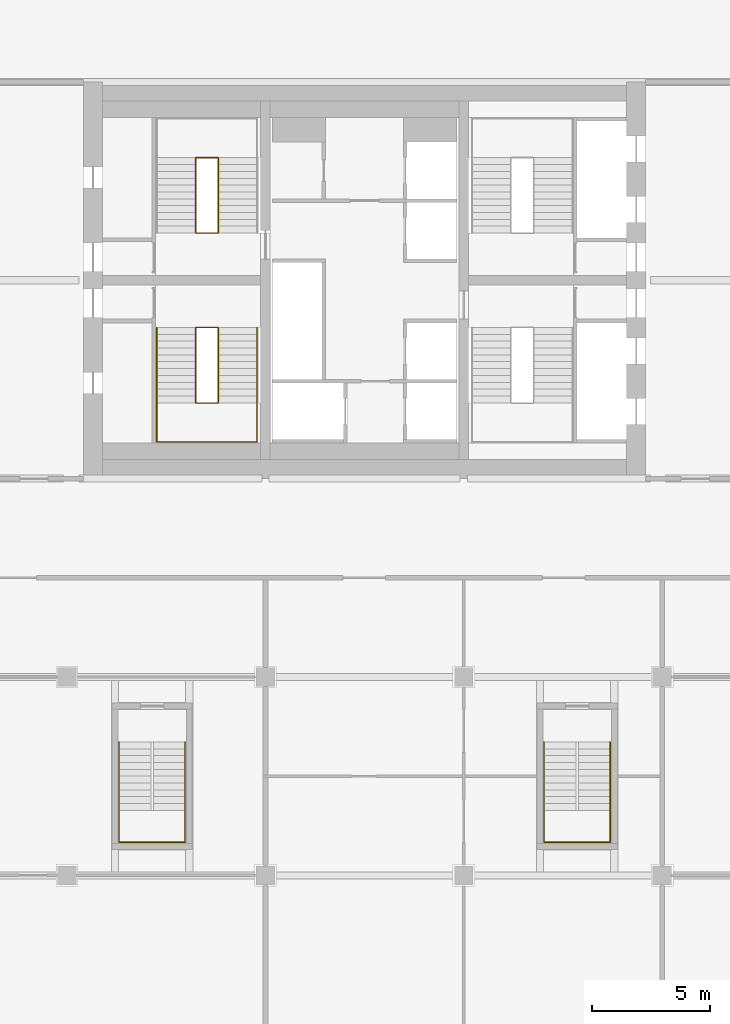
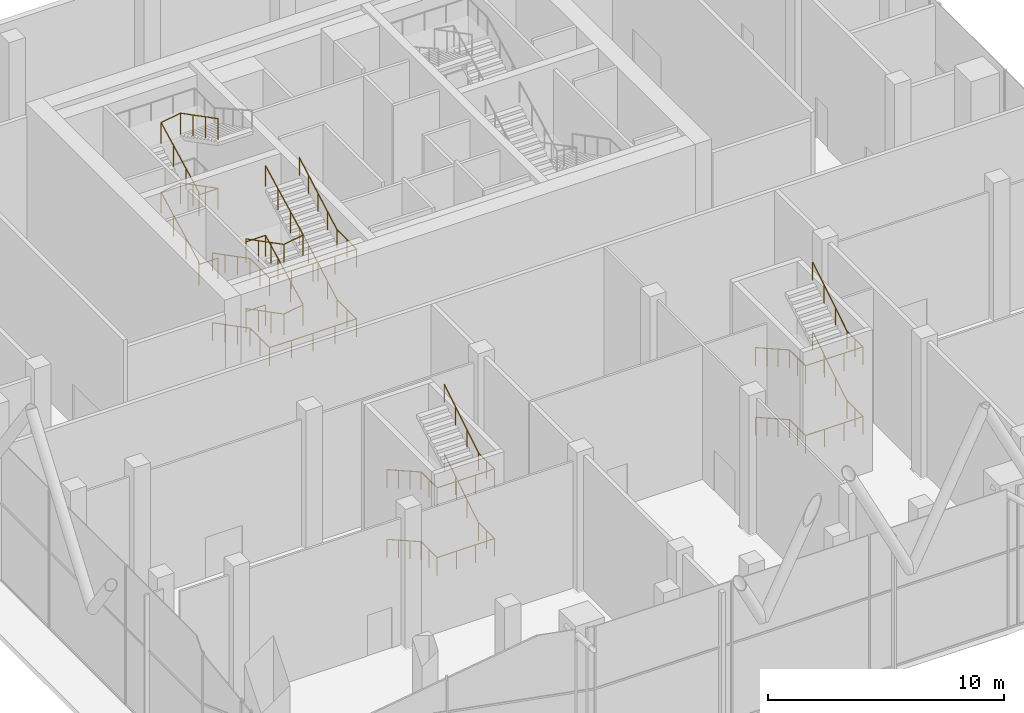
# One storey, part 24 of 25: 10 railings.
"""IFC4 building model written with IfcOpenShell, lengths in metres."""

from ifc_helpers import new_model, si_unit, direction, frame, origin, origin_2d, place, context, subcontext, project, spatial, circle, extrude, material, type_object, element, save


model = new_model("IFC4")

# Units and contexts
model_context = context("Model", 3, precision=1e-05, world=origin(), true_north=direction((0.0, 1.0)))
body_context = subcontext(model_context, "Body", "Model", "MODEL_VIEW")
ifc_project = project(units=[si_unit("LENGTHUNIT", "METRE"), si_unit("AREAUNIT", "SQUARE_METRE"), si_unit("VOLUMEUNIT", "CUBIC_METRE"), si_unit("PLANEANGLEUNIT", "RADIAN"), si_unit("MASSUNIT", "GRAM", prefix="KILO")], contexts=[model_context])

# Site, building, storey
site_placement = place(None, origin())
site = spatial("IfcSite", under=ifc_project, at=site_placement, CompositionType="ELEMENT")
building_placement = place(site_placement, origin())
building = spatial("IfcBuilding", under=site, at=building_placement, Name="Marenta Gate Hotel Tower", CompositionType="ELEMENT")
storey_placement = place(building_placement, frame((0.0, 0.0, 180.5)))
storey = spatial("IfcBuildingStorey", under=building, at=storey_placement, Name="L41", CompositionType="ELEMENT", Elevation=180.5)

# Railings
ifc_material_1 = material(Name="Stainless steel", Category="steel")
railing_type_1 = type_object("IfcRailingType", Name="Core stair handrail 950", PredefinedType="HANDRAIL", material=ifc_material_1)
railing_1_placement = place(storey_placement, frame((-8.800048828125, 6.39990234375, 0.14990234375)))
element("IfcRailing", 1, at=railing_1_placement, inside=storey, type_object=railing_type_1, Name="HR-950 L41-KR-ST1-1", PredefinedType="HANDRAIL", context=body_context, shape_type="SweptSolid", body=[
    extrude(circle(Radius=0.02392578125, at=origin_2d()), frame((0.0, 0.0, 0.92578125), z_axis=(0.0, -0.888197555067, 0.459461753765), x_axis=(1.0, 0.0, 0.0)), (0.0, 0.0, 1.0), 3.591552734375),
    extrude(circle(Radius=0.02392578125, at=origin_2d()), frame((0.0, -3.18994140625, 2.576171875), z_axis=(0.0, -1.0, 0.0), x_axis=(1.0, 0.0, 0.0)), (0.0, 0.0, 1.0), 1.659912109375),
    extrude(circle(Radius=0.02392578125, at=origin_2d()), frame((0.0, -4.849853515625, 2.576171875), z_axis=(1.0, 0.0, 0.0), x_axis=(0.0, 1.0, 0.0)), (0.0, 0.0, 1.0), 4.25),
    extrude(circle(Radius=0.02392578125, at=origin_2d()), frame((4.25, -4.849853515625, 2.576171875), z_axis=(0.0, 1.0, 0.0), x_axis=(-1.0, 0.0, 0.0)), (0.0, 0.0, 1.0), 1.659912109375),
    extrude(circle(Radius=0.02392578125, at=origin_2d()), frame((4.25, -3.18994140625, 2.576171875), z_axis=(0.0, 0.87090897868, 0.491444351738), x_axis=(-1.0, 0.0, 0.0)), (0.0, 0.0, 1.0), 3.662841796875),
    extrude(circle(Radius=0.02099609375, at=origin_2d()), origin(), (0.0, 0.0, 1.0), 0.90185546875),
    extrude(circle(Radius=0.02099609375, at=origin_2d()), frame((0.0, -1.063232421875, 0.550048828125)), (0.0, 0.0, 1.0), 0.90185546875),
    extrude(circle(Radius=0.02099609375, at=origin_2d()), frame((0.0, -2.126708984375, 1.10009765625)), (0.0, 0.0, 1.0), 0.90185546875),
    extrude(circle(Radius=0.02099609375, at=origin_2d()), frame((0.0, -3.18994140625, 1.650146484375)), (0.0, 0.0, 1.0), 0.90185546875),
    extrude(circle(Radius=0.02099609375, at=origin_2d()), frame((0.0, -4.02001953125, 1.650146484375)), (0.0, 0.0, 1.0), 0.90185546875),
    extrude(circle(Radius=0.02099609375, at=origin_2d()), frame((0.0, -4.849853515625, 1.650146484375)), (0.0, 0.0, 1.0), 0.90185546875),
    extrude(circle(Radius=0.02099609375, at=origin_2d()), frame((1.0625, -4.849853515625, 1.650146484375)), (0.0, 0.0, 1.0), 0.90185546875),
    extrude(circle(Radius=0.02099609375, at=origin_2d()), frame((2.125, -4.849853515625, 1.650146484375)), (0.0, 0.0, 1.0), 0.90185546875),
    extrude(circle(Radius=0.02099609375, at=origin_2d()), frame((3.1875, -4.849853515625, 1.650146484375)), (0.0, 0.0, 1.0), 0.90185546875),
    extrude(circle(Radius=0.02099609375, at=origin_2d()), frame((4.25, -4.849853515625, 1.650146484375)), (0.0, 0.0, 1.0), 0.90185546875),
    extrude(circle(Radius=0.02099609375, at=origin_2d()), frame((4.25, -4.02001953125, 1.650146484375)), (0.0, 0.0, 1.0), 0.90185546875),
    extrude(circle(Radius=0.02099609375, at=origin_2d()), frame((4.25, -3.18994140625, 1.650146484375)), (0.0, 0.0, 1.0), 0.90185546875),
    extrude(circle(Radius=0.02099609375, at=origin_2d()), frame((4.25, -2.392578125, 2.10009765625)), (0.0, 0.0, 1.0), 0.90185546875),
    extrude(circle(Radius=0.02099609375, at=origin_2d()), frame((4.25, -1.594970703125, 2.55029296875)), (0.0, 0.0, 1.0), 0.90185546875),
    extrude(circle(Radius=0.02099609375, at=origin_2d()), frame((4.25, -0.79736328125, 3.000244140625)), (0.0, 0.0, 1.0), 0.90185546875),
    extrude(circle(Radius=0.02099609375, at=origin_2d()), frame((4.25, 0.0, 3.4501953125)), (0.0, 0.0, 1.0), 0.90185546875),
])
railing_2_placement = place(storey_placement, frame((-8.800048828125, 6.39990234375, 3.75)))
element("IfcRailing", 2, at=railing_2_placement, inside=storey, type_object=railing_type_1, Name="HR-950 L41-KR-ST1-3", PredefinedType="HANDRAIL", context=body_context, shape_type="SweptSolid", body=[
    extrude(circle(Radius=0.02392578125, at=origin_2d()), frame((0.0, 0.0, 0.92578125), z_axis=(0.0, -0.888225295554, 0.459408123936), x_axis=(1.0, 0.0, 0.0)), (0.0, 0.0, 1.0), 3.59130859375),
    extrude(circle(Radius=0.02392578125, at=origin_2d()), frame((0.0, -3.18994140625, 2.57568359375), z_axis=(0.0, -1.0, 0.0), x_axis=(1.0, 0.0, 0.0)), (0.0, 0.0, 1.0), 1.659912109375),
    extrude(circle(Radius=0.02392578125, at=origin_2d()), frame((0.0, -4.849853515625, 2.57568359375), z_axis=(1.0, 0.0, 0.0), x_axis=(0.0, 1.0, 0.0)), (0.0, 0.0, 1.0), 4.25),
    extrude(circle(Radius=0.02392578125, at=origin_2d()), frame((4.25, -4.849853515625, 2.57568359375), z_axis=(0.0, 1.0, 0.0), x_axis=(-1.0, 0.0, 0.0)), (0.0, 0.0, 1.0), 1.659912109375),
    extrude(circle(Radius=0.02392578125, at=origin_2d()), frame((4.25, -3.18994140625, 2.57568359375), z_axis=(0.0, 0.87090897868, 0.491444351738), x_axis=(-1.0, 0.0, 0.0)), (0.0, 0.0, 1.0), 3.662841796875),
    extrude(circle(Radius=0.02099609375, at=origin_2d()), origin(), (0.0, 0.0, 1.0), 0.90185546875),
    extrude(circle(Radius=0.02099609375, at=origin_2d()), frame((0.0, -1.063232421875, 0.550048828125)), (0.0, 0.0, 1.0), 0.90185546875),
    extrude(circle(Radius=0.02099609375, at=origin_2d()), frame((0.0, -2.126708984375, 1.099853515625)), (0.0, 0.0, 1.0), 0.90185546875),
    extrude(circle(Radius=0.02099609375, at=origin_2d()), frame((0.0, -3.18994140625, 1.64990234375)), (0.0, 0.0, 1.0), 0.90185546875),
    extrude(circle(Radius=0.02099609375, at=origin_2d()), frame((0.0, -4.02001953125, 1.64990234375)), (0.0, 0.0, 1.0), 0.90185546875),
    extrude(circle(Radius=0.02099609375, at=origin_2d()), frame((0.0, -4.849853515625, 1.64990234375)), (0.0, 0.0, 1.0), 0.90185546875),
    extrude(circle(Radius=0.02099609375, at=origin_2d()), frame((1.0625, -4.849853515625, 1.64990234375)), (0.0, 0.0, 1.0), 0.90185546875),
    extrude(circle(Radius=0.02099609375, at=origin_2d()), frame((2.125, -4.849853515625, 1.64990234375)), (0.0, 0.0, 1.0), 0.90185546875),
    extrude(circle(Radius=0.02099609375, at=origin_2d()), frame((3.1875, -4.849853515625, 1.64990234375)), (0.0, 0.0, 1.0), 0.90185546875),
    extrude(circle(Radius=0.02099609375, at=origin_2d()), frame((4.25, -4.849853515625, 1.64990234375)), (0.0, 0.0, 1.0), 0.90185546875),
    extrude(circle(Radius=0.02099609375, at=origin_2d()), frame((4.25, -4.02001953125, 1.64990234375)), (0.0, 0.0, 1.0), 0.90185546875),
    extrude(circle(Radius=0.02099609375, at=origin_2d()), frame((4.25, -3.18994140625, 1.64990234375)), (0.0, 0.0, 1.0), 0.90185546875),
    extrude(circle(Radius=0.02099609375, at=origin_2d()), frame((4.25, -2.392578125, 2.099853515625)), (0.0, 0.0, 1.0), 0.90185546875),
    extrude(circle(Radius=0.02099609375, at=origin_2d()), frame((4.25, -1.594970703125, 2.5498046875)), (0.0, 0.0, 1.0), 0.90185546875),
    extrude(circle(Radius=0.02099609375, at=origin_2d()), frame((4.25, -0.79736328125, 3.0)), (0.0, 0.0, 1.0), 0.90185546875),
    extrude(circle(Radius=0.02099609375, at=origin_2d()), frame((4.25, 0.0, 3.449951171875)), (0.0, 0.0, 1.0), 0.90185546875),
])
railing_3_placement = place(storey_placement, frame((-10.39990234375, -11.14990234375, 0.16357421875)))
element("IfcRailing", 3, at=railing_3_placement, inside=storey, type_object=railing_type_1, Name="HR-950 L41-RS-Z3-1-KR-1", PredefinedType="HANDRAIL", context=body_context, shape_type="SweptSolid", body=[
    extrude(circle(Radius=0.02392578125, at=origin_2d()), frame((0.0, 0.0, 0.92578125), z_axis=(0.0, -0.870914908162, 0.491433843708), x_axis=(1.0, 0.0, 0.0)), (0.0, 0.0, 1.0), 3.330078125),
    extrude(circle(Radius=0.02392578125, at=origin_2d()), frame((0.0, -2.900146484375, 2.5625), z_axis=(0.0, -1.0, 0.0), x_axis=(1.0, 0.0, 0.0)), (0.0, 0.0, 1.0), 1.349853515625),
    extrude(circle(Radius=0.02392578125, at=origin_2d()), frame((0.0, -4.25, 2.5625), z_axis=(1.0, 0.0, 0.0), x_axis=(0.0, 1.0, 0.0)), (0.0, 0.0, 1.0), 2.7998046875),
    extrude(circle(Radius=0.02392578125, at=origin_2d()), frame((2.7998046875, -4.25, 2.5625), z_axis=(0.0, 1.0, 0.0), x_axis=(-1.0, 0.0, 0.0)), (0.0, 0.0, 1.0), 1.349853515625),
    extrude(circle(Radius=0.02392578125, at=origin_2d()), frame((2.7998046875, -2.900146484375, 2.5625), z_axis=(0.0, 0.849645691689, 0.527353959494), x_axis=(-1.0, 0.0, 0.0)), (0.0, 0.0, 1.0), 3.413330078125),
    extrude(circle(Radius=0.02099609375, at=origin_2d()), origin(), (0.0, 0.0, 1.0), 0.90185546875),
    extrude(circle(Radius=0.02099609375, at=origin_2d()), frame((0.0, -0.966796875, 0.54541015625)), (0.0, 0.0, 1.0), 0.90185546875),
    extrude(circle(Radius=0.02099609375, at=origin_2d()), frame((0.0, -1.933349609375, 1.091064453125)), (0.0, 0.0, 1.0), 0.90185546875),
    extrude(circle(Radius=0.02099609375, at=origin_2d()), frame((0.0, -2.900146484375, 1.636474609375)), (0.0, 0.0, 1.0), 0.90185546875),
    extrude(circle(Radius=0.02099609375, at=origin_2d()), frame((0.0, -3.5751953125, 1.636474609375)), (0.0, 0.0, 1.0), 0.90185546875),
    extrude(circle(Radius=0.02099609375, at=origin_2d()), frame((0.0, -4.25, 1.636474609375)), (0.0, 0.0, 1.0), 0.90185546875),
    extrude(circle(Radius=0.02099609375, at=origin_2d()), frame((0.933349609375, -4.25, 1.636474609375)), (0.0, 0.0, 1.0), 0.90185546875),
    extrude(circle(Radius=0.02099609375, at=origin_2d()), frame((1.866455078125, -4.25, 1.636474609375)), (0.0, 0.0, 1.0), 0.90185546875),
    extrude(circle(Radius=0.02099609375, at=origin_2d()), frame((2.7998046875, -4.25, 1.636474609375)), (0.0, 0.0, 1.0), 0.90185546875),
    extrude(circle(Radius=0.02099609375, at=origin_2d()), frame((2.7998046875, -3.5751953125, 1.636474609375)), (0.0, 0.0, 1.0), 0.90185546875),
    extrude(circle(Radius=0.02099609375, at=origin_2d()), frame((2.7998046875, -2.900146484375, 1.636474609375)), (0.0, 0.0, 1.0), 0.90185546875),
    extrude(circle(Radius=0.02099609375, at=origin_2d()), frame((2.7998046875, -1.933349609375, 2.236572265625)), (0.0, 0.0, 1.0), 0.90185546875),
    extrude(circle(Radius=0.02099609375, at=origin_2d()), frame((2.7998046875, -0.966796875, 2.83642578125)), (0.0, 0.0, 1.0), 0.90185546875),
    extrude(circle(Radius=0.02099609375, at=origin_2d()), frame((2.7998046875, 0.0, 3.4365234375)), (0.0, 0.0, 1.0), 0.90185546875),
])
railing_4_placement = place(storey_placement, frame((-10.39990234375, -11.14990234375, 3.763671875)))
element("IfcRailing", 4, at=railing_4_placement, inside=storey, type_object=railing_type_1, Name="HR-950 L41-RS-Z3-1-KR-2", PredefinedType="HANDRAIL", context=body_context, shape_type="SweptSolid", body=[
    extrude(circle(Radius=0.02392578125, at=origin_2d()), frame((0.0, 0.0, 0.92578125), z_axis=(0.0, -0.870946286338, 0.49137823142), x_axis=(1.0, 0.0, 0.0)), (0.0, 0.0, 1.0), 3.329833984375),
    extrude(circle(Radius=0.02392578125, at=origin_2d()), frame((0.0, -2.900146484375, 2.56201171875), z_axis=(0.0, -1.0, 0.0), x_axis=(1.0, 0.0, 0.0)), (0.0, 0.0, 1.0), 1.349853515625),
    extrude(circle(Radius=0.02392578125, at=origin_2d()), frame((0.0, -4.25, 2.56201171875), z_axis=(1.0, 0.0, 0.0), x_axis=(0.0, 1.0, 0.0)), (0.0, 0.0, 1.0), 2.7998046875),
    extrude(circle(Radius=0.02392578125, at=origin_2d()), frame((2.7998046875, -4.25, 2.56201171875), z_axis=(0.0, 1.0, 0.0), x_axis=(-1.0, 0.0, 0.0)), (0.0, 0.0, 1.0), 1.349853515625),
    extrude(circle(Radius=0.02392578125, at=origin_2d()), frame((2.7998046875, -2.900146484375, 2.56201171875), z_axis=(0.0, 0.849645691689, 0.527353959494), x_axis=(-1.0, 0.0, 0.0)), (0.0, 0.0, 1.0), 3.413330078125),
    extrude(circle(Radius=0.02099609375, at=origin_2d()), origin(), (0.0, 0.0, 1.0), 0.90185546875),
    extrude(circle(Radius=0.02099609375, at=origin_2d()), frame((0.0, -0.966796875, 0.54541015625)), (0.0, 0.0, 1.0), 0.90185546875),
    extrude(circle(Radius=0.02099609375, at=origin_2d()), frame((0.0, -1.933349609375, 1.0908203125)), (0.0, 0.0, 1.0), 0.90185546875),
    extrude(circle(Radius=0.02099609375, at=origin_2d()), frame((0.0, -2.900146484375, 1.63623046875)), (0.0, 0.0, 1.0), 0.90185546875),
    extrude(circle(Radius=0.02099609375, at=origin_2d()), frame((0.0, -3.5751953125, 1.63623046875)), (0.0, 0.0, 1.0), 0.90185546875),
    extrude(circle(Radius=0.02099609375, at=origin_2d()), frame((0.0, -4.25, 1.63623046875)), (0.0, 0.0, 1.0), 0.90185546875),
    extrude(circle(Radius=0.02099609375, at=origin_2d()), frame((0.933349609375, -4.25, 1.63623046875)), (0.0, 0.0, 1.0), 0.90185546875),
    extrude(circle(Radius=0.02099609375, at=origin_2d()), frame((1.866455078125, -4.25, 1.63623046875)), (0.0, 0.0, 1.0), 0.90185546875),
    extrude(circle(Radius=0.02099609375, at=origin_2d()), frame((2.7998046875, -4.25, 1.63623046875)), (0.0, 0.0, 1.0), 0.90185546875),
    extrude(circle(Radius=0.02099609375, at=origin_2d()), frame((2.7998046875, -3.5751953125, 1.63623046875)), (0.0, 0.0, 1.0), 0.90185546875),
    extrude(circle(Radius=0.02099609375, at=origin_2d()), frame((2.7998046875, -2.900146484375, 1.63623046875)), (0.0, 0.0, 1.0), 0.90185546875),
    extrude(circle(Radius=0.02099609375, at=origin_2d()), frame((2.7998046875, -1.933349609375, 2.236328125)), (0.0, 0.0, 1.0), 0.90185546875),
    extrude(circle(Radius=0.02099609375, at=origin_2d()), frame((2.7998046875, -0.966796875, 2.836181640625)), (0.0, 0.0, 1.0), 0.90185546875),
    extrude(circle(Radius=0.02099609375, at=origin_2d()), frame((2.7998046875, 0.0, 3.436279296875)), (0.0, 0.0, 1.0), 0.90185546875),
])
railing_5_placement = place(storey_placement, frame((7.60009765625, -11.14990234375, 0.16357421875)))
element("IfcRailing", 5, at=railing_5_placement, inside=storey, type_object=railing_type_1, Name="HR-950 L41-RS-Z3-2-KR-1", PredefinedType="HANDRAIL", context=body_context, shape_type="SweptSolid", body=[
    extrude(circle(Radius=0.02392578125, at=origin_2d()), frame((0.0, 0.0, 0.92578125), z_axis=(0.0, -0.870914908162, 0.491433843708), x_axis=(1.0, 0.0, 0.0)), (0.0, 0.0, 1.0), 3.330078125),
    extrude(circle(Radius=0.02392578125, at=origin_2d()), frame((0.0, -2.900146484375, 2.5625), z_axis=(0.0, -1.0, 0.0), x_axis=(1.0, 0.0, 0.0)), (0.0, 0.0, 1.0), 1.349853515625),
    extrude(circle(Radius=0.02392578125, at=origin_2d()), frame((0.0, -4.25, 2.5625), z_axis=(1.0, 0.0, 0.0), x_axis=(0.0, 1.0, 0.0)), (0.0, 0.0, 1.0), 2.7998046875),
    extrude(circle(Radius=0.02392578125, at=origin_2d()), frame((2.7998046875, -4.25, 2.5625), z_axis=(0.0, 1.0, 0.0), x_axis=(-1.0, 0.0, 0.0)), (0.0, 0.0, 1.0), 1.349853515625),
    extrude(circle(Radius=0.02392578125, at=origin_2d()), frame((2.7998046875, -2.900146484375, 2.5625), z_axis=(0.0, 0.849645691689, 0.527353959494), x_axis=(-1.0, 0.0, 0.0)), (0.0, 0.0, 1.0), 3.413330078125),
    extrude(circle(Radius=0.02099609375, at=origin_2d()), origin(), (0.0, 0.0, 1.0), 0.90185546875),
    extrude(circle(Radius=0.02099609375, at=origin_2d()), frame((0.0, -0.966796875, 0.54541015625)), (0.0, 0.0, 1.0), 0.90185546875),
    extrude(circle(Radius=0.02099609375, at=origin_2d()), frame((0.0, -1.933349609375, 1.091064453125)), (0.0, 0.0, 1.0), 0.90185546875),
    extrude(circle(Radius=0.02099609375, at=origin_2d()), frame((0.0, -2.900146484375, 1.636474609375)), (0.0, 0.0, 1.0), 0.90185546875),
    extrude(circle(Radius=0.02099609375, at=origin_2d()), frame((0.0, -3.5751953125, 1.636474609375)), (0.0, 0.0, 1.0), 0.90185546875),
    extrude(circle(Radius=0.02099609375, at=origin_2d()), frame((0.0, -4.25, 1.636474609375)), (0.0, 0.0, 1.0), 0.90185546875),
    extrude(circle(Radius=0.02099609375, at=origin_2d()), frame((0.933349609375, -4.25, 1.636474609375)), (0.0, 0.0, 1.0), 0.90185546875),
    extrude(circle(Radius=0.02099609375, at=origin_2d()), frame((1.866455078125, -4.25, 1.636474609375)), (0.0, 0.0, 1.0), 0.90185546875),
    extrude(circle(Radius=0.02099609375, at=origin_2d()), frame((2.7998046875, -4.25, 1.636474609375)), (0.0, 0.0, 1.0), 0.90185546875),
    extrude(circle(Radius=0.02099609375, at=origin_2d()), frame((2.7998046875, -3.5751953125, 1.636474609375)), (0.0, 0.0, 1.0), 0.90185546875),
    extrude(circle(Radius=0.02099609375, at=origin_2d()), frame((2.7998046875, -2.900146484375, 1.636474609375)), (0.0, 0.0, 1.0), 0.90185546875),
    extrude(circle(Radius=0.02099609375, at=origin_2d()), frame((2.7998046875, -1.933349609375, 2.236572265625)), (0.0, 0.0, 1.0), 0.90185546875),
    extrude(circle(Radius=0.02099609375, at=origin_2d()), frame((2.7998046875, -0.966796875, 2.83642578125)), (0.0, 0.0, 1.0), 0.90185546875),
    extrude(circle(Radius=0.02099609375, at=origin_2d()), frame((2.7998046875, 0.0, 3.4365234375)), (0.0, 0.0, 1.0), 0.90185546875),
])
railing_6_placement = place(storey_placement, frame((7.60009765625, -11.14990234375, 3.763671875)))
element("IfcRailing", 6, at=railing_6_placement, inside=storey, type_object=railing_type_1, Name="HR-950 L41-RS-Z3-2-KR-2", PredefinedType="HANDRAIL", context=body_context, shape_type="SweptSolid", body=[
    extrude(circle(Radius=0.02392578125, at=origin_2d()), frame((0.0, 0.0, 0.92578125), z_axis=(0.0, -0.870946286338, 0.49137823142), x_axis=(1.0, 0.0, 0.0)), (0.0, 0.0, 1.0), 3.329833984375),
    extrude(circle(Radius=0.02392578125, at=origin_2d()), frame((0.0, -2.900146484375, 2.56201171875), z_axis=(0.0, -1.0, 0.0), x_axis=(1.0, 0.0, 0.0)), (0.0, 0.0, 1.0), 1.349853515625),
    extrude(circle(Radius=0.02392578125, at=origin_2d()), frame((0.0, -4.25, 2.56201171875), z_axis=(1.0, 0.0, 0.0), x_axis=(0.0, 1.0, 0.0)), (0.0, 0.0, 1.0), 2.7998046875),
    extrude(circle(Radius=0.02392578125, at=origin_2d()), frame((2.7998046875, -4.25, 2.56201171875), z_axis=(0.0, 1.0, 0.0), x_axis=(-1.0, 0.0, 0.0)), (0.0, 0.0, 1.0), 1.349853515625),
    extrude(circle(Radius=0.02392578125, at=origin_2d()), frame((2.7998046875, -2.900146484375, 2.56201171875), z_axis=(0.0, 0.849645691689, 0.527353959494), x_axis=(-1.0, 0.0, 0.0)), (0.0, 0.0, 1.0), 3.413330078125),
    extrude(circle(Radius=0.02099609375, at=origin_2d()), origin(), (0.0, 0.0, 1.0), 0.90185546875),
    extrude(circle(Radius=0.02099609375, at=origin_2d()), frame((0.0, -0.966796875, 0.54541015625)), (0.0, 0.0, 1.0), 0.90185546875),
    extrude(circle(Radius=0.02099609375, at=origin_2d()), frame((0.0, -1.933349609375, 1.0908203125)), (0.0, 0.0, 1.0), 0.90185546875),
    extrude(circle(Radius=0.02099609375, at=origin_2d()), frame((0.0, -2.900146484375, 1.63623046875)), (0.0, 0.0, 1.0), 0.90185546875),
    extrude(circle(Radius=0.02099609375, at=origin_2d()), frame((0.0, -3.5751953125, 1.63623046875)), (0.0, 0.0, 1.0), 0.90185546875),
    extrude(circle(Radius=0.02099609375, at=origin_2d()), frame((0.0, -4.25, 1.63623046875)), (0.0, 0.0, 1.0), 0.90185546875),
    extrude(circle(Radius=0.02099609375, at=origin_2d()), frame((0.933349609375, -4.25, 1.63623046875)), (0.0, 0.0, 1.0), 0.90185546875),
    extrude(circle(Radius=0.02099609375, at=origin_2d()), frame((1.866455078125, -4.25, 1.63623046875)), (0.0, 0.0, 1.0), 0.90185546875),
    extrude(circle(Radius=0.02099609375, at=origin_2d()), frame((2.7998046875, -4.25, 1.63623046875)), (0.0, 0.0, 1.0), 0.90185546875),
    extrude(circle(Radius=0.02099609375, at=origin_2d()), frame((2.7998046875, -3.5751953125, 1.63623046875)), (0.0, 0.0, 1.0), 0.90185546875),
    extrude(circle(Radius=0.02099609375, at=origin_2d()), frame((2.7998046875, -2.900146484375, 1.63623046875)), (0.0, 0.0, 1.0), 0.90185546875),
    extrude(circle(Radius=0.02099609375, at=origin_2d()), frame((2.7998046875, -1.933349609375, 2.236328125)), (0.0, 0.0, 1.0), 0.90185546875),
    extrude(circle(Radius=0.02099609375, at=origin_2d()), frame((2.7998046875, -0.966796875, 2.836181640625)), (0.0, 0.0, 1.0), 0.90185546875),
    extrude(circle(Radius=0.02099609375, at=origin_2d()), frame((2.7998046875, 0.0, 3.436279296875)), (0.0, 0.0, 1.0), 0.90185546875),
])
ifc_material_2 = material(Name="Stainless steel", Category="steel")
railing_type_2 = type_object("IfcRailingType", Name="Core stair well guard 1100", PredefinedType="GUARDRAIL", material=ifc_material_2)
railing_7_placement = place(storey_placement, frame((-6.199951171875, 6.39990234375, 0.0)))
element("IfcRailing", 7, at=railing_7_placement, inside=storey, type_object=railing_type_2, Name="GR-1100 L41-KR-ST1-2", PredefinedType="GUARDRAIL", context=body_context, shape_type="SweptSolid", body=[
    extrude(circle(Radius=0.02392578125, at=origin_2d()), frame((0.0, 0.0, 1.076171875), z_axis=(-1.0, 0.0, 0.0), x_axis=(0.0, -1.0, 0.0)), (0.0, 0.0, 1.0), 0.949951171875),
    extrude(circle(Radius=0.02392578125, at=origin_2d()), frame((-0.949951171875, 0.0, 1.076171875), z_axis=(0.0, 0.0, 1.0), x_axis=(1.0, 0.0, 0.0)), (0.0, 0.0, 1.0), 0.14990234375),
    extrude(circle(Radius=0.02392578125, at=origin_2d()), frame((-0.949951171875, 0.0, 1.22607421875), z_axis=(0.0, -0.888197555067, 0.459461753765), x_axis=(1.0, 0.0, 0.0)), (0.0, 0.0, 1.0), 3.591552734375),
    extrude(circle(Radius=0.02392578125, at=origin_2d()), frame((-0.949951171875, -3.18994140625, 2.8759765625), z_axis=(0.987777369502, 0.0, 0.15587131968), x_axis=(0.0, 1.0, 0.0)), (0.0, 0.0, 1.0), 0.961669921875),
    extrude(circle(Radius=0.02392578125, at=origin_2d()), frame((0.0, -3.18994140625, 3.02587890625), z_axis=(0.0, 0.888197555067, 0.459461753765), x_axis=(-1.0, 0.0, 0.0)), (0.0, 0.0, 1.0), 3.591552734375),
    extrude(circle(Radius=0.02099609375, at=origin_2d()), origin(), (0.0, 0.0, 1.0), 1.052001953125),
    extrude(circle(Radius=0.02099609375, at=origin_2d()), frame((-0.949951171875, 0.0, 0.0)), (0.0, 0.0, 1.0), 1.052001953125),
    extrude(circle(Radius=0.02099609375, at=origin_2d()), frame((-0.949951171875, 0.0, 0.14990234375)), (0.0, 0.0, 1.0), 1.052001953125),
    extrude(circle(Radius=0.02099609375, at=origin_2d()), frame((-0.949951171875, -1.063232421875, 0.699951171875)), (0.0, 0.0, 1.0), 1.052001953125),
    extrude(circle(Radius=0.02099609375, at=origin_2d()), frame((-0.949951171875, -2.126708984375, 1.25)), (0.0, 0.0, 1.0), 1.052001953125),
    extrude(circle(Radius=0.02099609375, at=origin_2d()), frame((-0.949951171875, -3.18994140625, 1.800048828125)), (0.0, 0.0, 1.0), 1.052001953125),
    extrude(circle(Radius=0.02099609375, at=origin_2d()), frame((0.0, -3.18994140625, 1.949951171875)), (0.0, 0.0, 1.0), 1.052001953125),
    extrude(circle(Radius=0.02099609375, at=origin_2d()), frame((0.0, -2.126708984375, 2.5)), (0.0, 0.0, 1.0), 1.052001953125),
    extrude(circle(Radius=0.02099609375, at=origin_2d()), frame((0.0, -1.063232421875, 3.050048828125)), (0.0, 0.0, 1.0), 1.052001953125),
    extrude(circle(Radius=0.02099609375, at=origin_2d()), frame((0.0, 0.0, 3.60009765625)), (0.0, 0.0, 1.0), 1.052001953125),
])
railing_8_placement = place(storey_placement, frame((-6.199951171875, 6.39990234375, 3.60009765625)))
element("IfcRailing", 8, at=railing_8_placement, inside=storey, type_object=railing_type_2, Name="GR-1100 L41-KR-ST1-4", PredefinedType="GUARDRAIL", context=body_context, shape_type="SweptSolid", body=[
    extrude(circle(Radius=0.02392578125, at=origin_2d()), frame((0.0, 0.0, 1.076171875), z_axis=(-1.0, 0.0, 0.0), x_axis=(0.0, -1.0, 0.0)), (0.0, 0.0, 1.0), 0.949951171875),
    extrude(circle(Radius=0.02392578125, at=origin_2d()), frame((-0.949951171875, 0.0, 1.076171875), z_axis=(0.0, 0.0, 1.0), x_axis=(1.0, 0.0, 0.0)), (0.0, 0.0, 1.0), 0.14990234375),
    extrude(circle(Radius=0.02392578125, at=origin_2d()), frame((-0.949951171875, 0.0, 1.22607421875), z_axis=(0.0, -0.888225295554, 0.459408123936), x_axis=(1.0, 0.0, 0.0)), (0.0, 0.0, 1.0), 3.59130859375),
    extrude(circle(Radius=0.02392578125, at=origin_2d()), frame((-0.949951171875, -3.18994140625, 2.8759765625), z_axis=(0.987738253826, 0.0, 0.156118999255), x_axis=(0.0, 1.0, 0.0)), (0.0, 0.0, 1.0), 0.961669921875),
    extrude(circle(Radius=0.02392578125, at=origin_2d()), frame((0.0, -3.18994140625, 3.02587890625), z_axis=(0.0, 0.888225295554, 0.459408123936), x_axis=(-1.0, 0.0, 0.0)), (0.0, 0.0, 1.0), 3.59130859375),
    extrude(circle(Radius=0.02099609375, at=origin_2d()), origin(), (0.0, 0.0, 1.0), 1.052001953125),
    extrude(circle(Radius=0.02099609375, at=origin_2d()), frame((-0.949951171875, 0.0, 0.0)), (0.0, 0.0, 1.0), 1.052001953125),
    extrude(circle(Radius=0.02099609375, at=origin_2d()), frame((-0.949951171875, 0.0, 0.14990234375)), (0.0, 0.0, 1.0), 1.052001953125),
    extrude(circle(Radius=0.02099609375, at=origin_2d()), frame((-0.949951171875, -1.063232421875, 0.699951171875)), (0.0, 0.0, 1.0), 1.052001953125),
    extrude(circle(Radius=0.02099609375, at=origin_2d()), frame((-0.949951171875, -2.126708984375, 1.249755859375)), (0.0, 0.0, 1.0), 1.052001953125),
    extrude(circle(Radius=0.02099609375, at=origin_2d()), frame((-0.949951171875, -3.18994140625, 1.7998046875)), (0.0, 0.0, 1.0), 1.052001953125),
    extrude(circle(Radius=0.02099609375, at=origin_2d()), frame((0.0, -3.18994140625, 1.949951171875)), (0.0, 0.0, 1.0), 1.052001953125),
    extrude(circle(Radius=0.02099609375, at=origin_2d()), frame((0.0, -2.126708984375, 2.5)), (0.0, 0.0, 1.0), 1.052001953125),
    extrude(circle(Radius=0.02099609375, at=origin_2d()), frame((0.0, -1.063232421875, 3.0498046875)), (0.0, 0.0, 1.0), 1.052001953125),
    extrude(circle(Radius=0.02099609375, at=origin_2d()), frame((0.0, 0.0, 3.599853515625)), (0.0, 0.0, 1.0), 1.052001953125),
])
railing_9_placement = place(storey_placement, frame((-6.199951171875, 10.39990234375, 0.0)))
element("IfcRailing", 9, at=railing_9_placement, inside=storey, type_object=railing_type_2, Name="GR-1100 L41-KR-ST2-2", PredefinedType="GUARDRAIL", context=body_context, shape_type="SweptSolid", body=[
    extrude(circle(Radius=0.02392578125, at=origin_2d()), frame((0.0, 0.0, 1.076171875), z_axis=(-1.0, 0.0, 0.0), x_axis=(0.0, -1.0, 0.0)), (0.0, 0.0, 1.0), 0.949951171875),
    extrude(circle(Radius=0.02392578125, at=origin_2d()), frame((-0.949951171875, 0.0, 1.076171875), z_axis=(0.0, 0.0, 1.0), x_axis=(1.0, 0.0, 0.0)), (0.0, 0.0, 1.0), 0.14990234375),
    extrude(circle(Radius=0.02392578125, at=origin_2d()), frame((-0.949951171875, 0.0, 1.22607421875), z_axis=(0.0, 0.888211904222, 0.459434013977), x_axis=(-1.0, 0.0, 0.0)), (0.0, 0.0, 1.0), 3.591796875),
    extrude(circle(Radius=0.02392578125, at=origin_2d()), frame((-0.949951171875, 3.190185546875, 2.8759765625), z_axis=(0.987777369502, 0.0, 0.15587131968), x_axis=(0.0, 1.0, 0.0)), (0.0, 0.0, 1.0), 0.961669921875),
    extrude(circle(Radius=0.02392578125, at=origin_2d()), frame((0.0, 3.190185546875, 3.02587890625), z_axis=(0.0, -0.888211904222, 0.459434013977), x_axis=(1.0, 0.0, 0.0)), (0.0, 0.0, 1.0), 3.591796875),
    extrude(circle(Radius=0.02099609375, at=origin_2d()), origin(), (0.0, 0.0, 1.0), 1.052001953125),
    extrude(circle(Radius=0.02099609375, at=origin_2d()), frame((-0.949951171875, 0.0, 0.0)), (0.0, 0.0, 1.0), 1.052001953125),
    extrude(circle(Radius=0.02099609375, at=origin_2d()), frame((-0.949951171875, 0.0, 0.14990234375)), (0.0, 0.0, 1.0), 1.052001953125),
    extrude(circle(Radius=0.02099609375, at=origin_2d()), frame((-0.949951171875, 1.0634765625, 0.699951171875)), (0.0, 0.0, 1.0), 1.052001953125),
    extrude(circle(Radius=0.02099609375, at=origin_2d()), frame((-0.949951171875, 2.126708984375, 1.25)), (0.0, 0.0, 1.0), 1.052001953125),
    extrude(circle(Radius=0.02099609375, at=origin_2d()), frame((-0.949951171875, 3.190185546875, 1.800048828125)), (0.0, 0.0, 1.0), 1.052001953125),
    extrude(circle(Radius=0.02099609375, at=origin_2d()), frame((0.0, 3.190185546875, 1.949951171875)), (0.0, 0.0, 1.0), 1.052001953125),
    extrude(circle(Radius=0.02099609375, at=origin_2d()), frame((0.0, 2.126708984375, 2.5)), (0.0, 0.0, 1.0), 1.052001953125),
    extrude(circle(Radius=0.02099609375, at=origin_2d()), frame((0.0, 1.0634765625, 3.050048828125)), (0.0, 0.0, 1.0), 1.052001953125),
    extrude(circle(Radius=0.02099609375, at=origin_2d()), frame((0.0, 0.0, 3.60009765625)), (0.0, 0.0, 1.0), 1.052001953125),
])
railing_10_placement = place(storey_placement, frame((-6.199951171875, 10.39990234375, 3.60009765625)))
element("IfcRailing", 10, at=railing_10_placement, inside=storey, type_object=railing_type_2, Name="GR-1100 L41-KR-ST2-4", PredefinedType="GUARDRAIL", context=body_context, shape_type="SweptSolid", body=[
    extrude(circle(Radius=0.02392578125, at=origin_2d()), frame((0.0, 0.0, 1.076171875), z_axis=(-1.0, 0.0, 0.0), x_axis=(0.0, -1.0, 0.0)), (0.0, 0.0, 1.0), 0.949951171875),
    extrude(circle(Radius=0.02392578125, at=origin_2d()), frame((-0.949951171875, 0.0, 1.076171875), z_axis=(0.0, 0.0, 1.0), x_axis=(1.0, 0.0, 0.0)), (0.0, 0.0, 1.0), 0.14990234375),
    extrude(circle(Radius=0.02392578125, at=origin_2d()), frame((-0.949951171875, 0.0, 1.22607421875), z_axis=(0.0, 0.888239641807, 0.459380385653), x_axis=(-1.0, 0.0, 0.0)), (0.0, 0.0, 1.0), 3.591552734375),
    extrude(circle(Radius=0.02392578125, at=origin_2d()), frame((-0.949951171875, 3.190185546875, 2.8759765625), z_axis=(0.987738253826, 0.0, 0.156118999255), x_axis=(0.0, 1.0, 0.0)), (0.0, 0.0, 1.0), 0.961669921875),
    extrude(circle(Radius=0.02392578125, at=origin_2d()), frame((0.0, 3.190185546875, 3.02587890625), z_axis=(0.0, -0.888239641807, 0.459380385653), x_axis=(1.0, 0.0, 0.0)), (0.0, 0.0, 1.0), 3.591552734375),
    extrude(circle(Radius=0.02099609375, at=origin_2d()), origin(), (0.0, 0.0, 1.0), 1.052001953125),
    extrude(circle(Radius=0.02099609375, at=origin_2d()), frame((-0.949951171875, 0.0, 0.0)), (0.0, 0.0, 1.0), 1.052001953125),
    extrude(circle(Radius=0.02099609375, at=origin_2d()), frame((-0.949951171875, 0.0, 0.14990234375)), (0.0, 0.0, 1.0), 1.052001953125),
    extrude(circle(Radius=0.02099609375, at=origin_2d()), frame((-0.949951171875, 1.0634765625, 0.699951171875)), (0.0, 0.0, 1.0), 1.052001953125),
    extrude(circle(Radius=0.02099609375, at=origin_2d()), frame((-0.949951171875, 2.126708984375, 1.249755859375)), (0.0, 0.0, 1.0), 1.052001953125),
    extrude(circle(Radius=0.02099609375, at=origin_2d()), frame((-0.949951171875, 3.190185546875, 1.7998046875)), (0.0, 0.0, 1.0), 1.052001953125),
    extrude(circle(Radius=0.02099609375, at=origin_2d()), frame((0.0, 3.190185546875, 1.949951171875)), (0.0, 0.0, 1.0), 1.052001953125),
    extrude(circle(Radius=0.02099609375, at=origin_2d()), frame((0.0, 2.126708984375, 2.5)), (0.0, 0.0, 1.0), 1.052001953125),
    extrude(circle(Radius=0.02099609375, at=origin_2d()), frame((0.0, 1.0634765625, 3.0498046875)), (0.0, 0.0, 1.0), 1.052001953125),
    extrude(circle(Radius=0.02099609375, at=origin_2d()), frame((0.0, 0.0, 3.599853515625)), (0.0, 0.0, 1.0), 1.052001953125),
])

save(model, "model.ifc")
